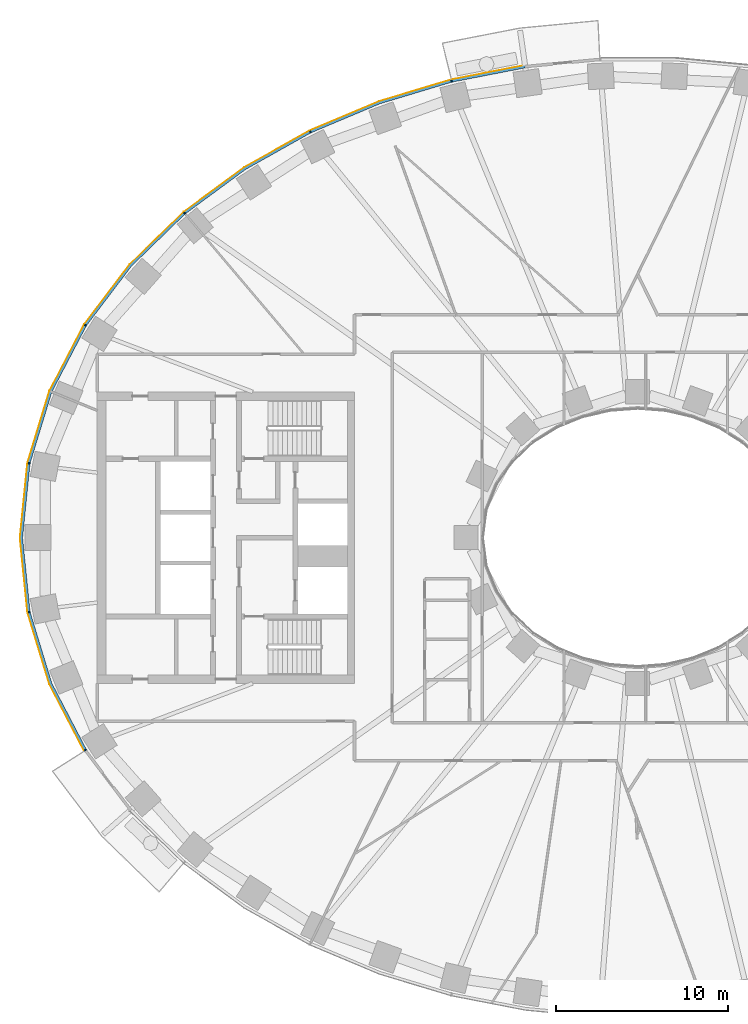
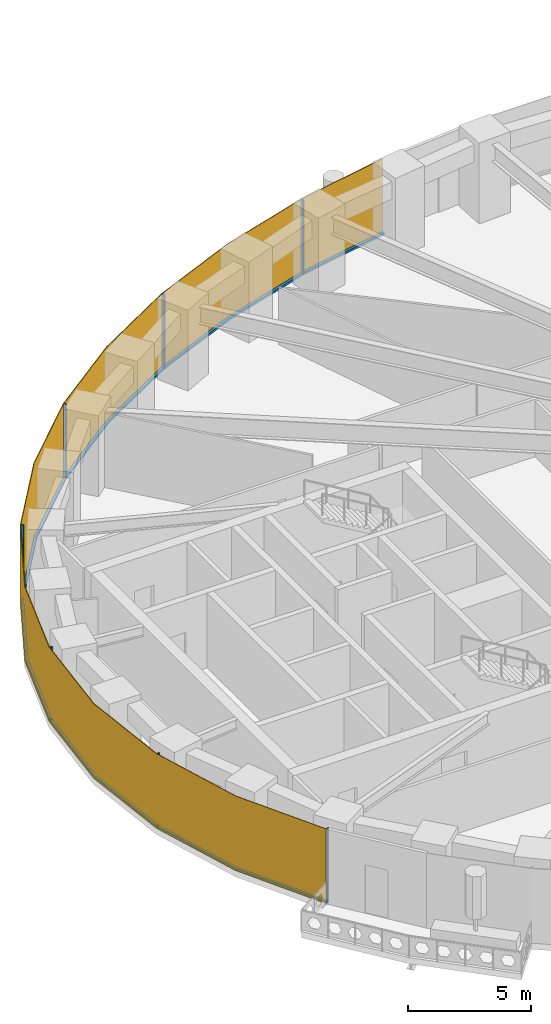
# One storey, part 11 of 16: 14 members, 1 curtain wall.
"""IFC4 building model written with IfcOpenShell, lengths in metres."""

from ifc_helpers import new_model, si_unit, direction, frame, origin, origin_2d, place, context, subcontext, project, spatial, polyline, rectangle, outline, extrude, material, layer, layer_set, material_profile, profile_set, type_object, element, aggregate, save


model = new_model("IFC4")

# Units and contexts
model_context = context("Model", 3, precision=1e-05, world=origin(), true_north=direction((0.0, 1.0)))
body_context = subcontext(model_context, "Body", "Model", "MODEL_VIEW")
ifc_project = project(units=[si_unit("LENGTHUNIT", "METRE"), si_unit("AREAUNIT", "SQUARE_METRE"), si_unit("VOLUMEUNIT", "CUBIC_METRE"), si_unit("PLANEANGLEUNIT", "RADIAN"), si_unit("MASSUNIT", "GRAM", prefix="KILO")], contexts=[model_context])

# Member
ifc_material_1 = material(Name="Aluminium 6063-T6 black anodised", Category="aluminium")
ifc_material_profile = material_profile(ifc_material_1, rectangle(XDim=0.1201171875, YDim=0.06005859375, at=origin_2d()), Name="120x60")
ifc_profile_set = profile_set([ifc_material_profile], Name="Aluminium 6063-T6 black anodised")
member_type_1 = type_object("IfcMemberType", Name="ENV-MULLION-A-120", PredefinedType="MULLION", material=ifc_profile_set)
site_placement = place(None, origin())
building_placement = place(site_placement, origin())
storey_placement = place(building_placement, frame((0.0, 0.0, 54.5)))
member_1_placement = place(storey_placement, frame((-10.84326171875, 26.60498046875, 0.0), z_axis=(0.0, 0.0, 1.0), x_axis=(0.239799081534, -0.970822538106, 0.0)))
member_1 = element("IfcMember", 1, at=member_1_placement, type_object=member_type_1, Name="Mullion A radial 15", PredefinedType="MULLION", context=body_context, shape_type="SweptSolid", body=[
    extrude(rectangle(XDim=0.1201171875, YDim=0.06005859375, at=origin_2d()), origin(), (0.0, 0.0, 1.0), 3.699951171875),
])

member_2_placement = place(storey_placement, frame((-19.06787109375, 23.6474609375, 0.0), z_axis=(0.0, 0.0, 1.0), x_axis=(0.439237769837, -0.898370848563, 0.0)))
member_2 = element("IfcMember", 2, at=member_2_placement, type_object=member_type_1, Name="Mullion A radial 17", PredefinedType="MULLION", context=body_context, shape_type="SweptSolid", body=[
    extrude(rectangle(XDim=0.1201171875, YDim=0.06005859375, at=origin_2d()), origin(), (0.0, 0.0, 1.0), 3.699951171875),
])

member_3_placement = place(storey_placement, frame((-26.403564453125, 18.9130859375, 0.0), z_axis=(0.0, 0.0, 1.0), x_axis=(0.646451313783, -0.762955240435, 0.0)))
member_3 = element("IfcMember", 3, at=member_3_placement, type_object=member_type_1, Name="Mullion A radial 19", PredefinedType="MULLION", context=body_context, shape_type="SweptSolid", body=[
    extrude(rectangle(XDim=0.1201171875, YDim=0.06005859375, at=origin_2d()), origin(), (0.0, 0.0, 1.0), 3.699951171875),
])

member_4_placement = place(storey_placement, frame((-32.177490234375, 12.385498046875, 0.0), z_axis=(0.0, 0.0, 1.0), x_axis=(0.844829880882, -0.53503501976, 0.0)))
member_4 = element("IfcMember", 4, at=member_4_placement, type_object=member_type_1, Name="Mullion A radial 21", PredefinedType="MULLION", context=body_context, shape_type="SweptSolid", body=[
    extrude(rectangle(XDim=0.1201171875, YDim=0.06005859375, at=origin_2d()), origin(), (0.0, 0.0, 1.0), 3.699951171875),
])

member_5_placement = place(storey_placement, frame((-35.470947265625, 4.340576171875, 0.0), z_axis=(0.0, 0.0, 1.0), x_axis=(0.980379083141, -0.19712141776, 0.0)))
member_5 = element("IfcMember", 5, at=member_5_placement, type_object=member_type_1, Name="Mullion A radial 23", PredefinedType="MULLION", context=body_context, shape_type="SweptSolid", body=[
    extrude(rectangle(XDim=0.1201171875, YDim=0.06005859375, at=origin_2d()), origin(), (0.0, 0.0, 1.0), 3.699951171875),
])

member_6_placement = place(storey_placement, frame((-35.470947265625, -4.340576171875, 0.0), z_axis=(0.0, 0.0, 1.0), x_axis=(0.980379083141, 0.19712141776, 0.0)))
member_6 = element("IfcMember", 6, at=member_6_placement, type_object=member_type_1, Name="Mullion A radial 25", PredefinedType="MULLION", context=body_context, shape_type="SweptSolid", body=[
    extrude(rectangle(XDim=0.1201171875, YDim=0.06005859375, at=origin_2d()), origin(), (0.0, 0.0, 1.0), 3.699951171875),
])

member_7_placement = place(storey_placement, frame((-32.177490234375, -12.385498046875, 0.0), z_axis=(0.0, 0.0, 1.0), x_axis=(0.844829880882, 0.53503501976, 0.0)))
member_7 = element("IfcMember", 7, at=member_7_placement, type_object=member_type_1, Name="Mullion A radial 27", PredefinedType="MULLION", context=body_context, shape_type="SweptSolid", body=[
    extrude(rectangle(XDim=0.1201171875, YDim=0.06005859375, at=origin_2d()), origin(), (0.0, 0.0, 1.0), 3.699951171875),
])

ifc_material_2 = material(Name="Aluminium 6063-T6 black anodised", Category="aluminium")
member_type_2 = type_object("IfcMemberType", Name="ENV-TRANSOM-A", PredefinedType="USERDEFINED", material=ifc_material_2)
member_8_placement = place(storey_placement, origin())
member_8 = element("IfcMember", 8, at=member_8_placement, type_object=member_type_2, Name="Transom A radial 14-15", ObjectType="TRANSOM", PredefinedType="USERDEFINED", context=body_context, shape_type="SweptSolid", body=[
    extrude(outline(polyline([(-6.57470703125, 27.49560546875), (-10.830078125, 26.66845703125), (-10.80126953125, 26.552001953125), (-6.5576171875, 27.376708984375), (-6.57470703125, 27.49560546875)])), origin(), (0.0, 0.0, 1.0), 0.10009765625),
])

member_9_placement = place(storey_placement, origin())
member_9 = element("IfcMember", 9, at=member_9_placement, type_object=member_type_2, Name="Transom A radial 15-17", ObjectType="TRANSOM", PredefinedType="USERDEFINED", context=body_context, shape_type="SweptSolid", body=[
    extrude(outline(polyline([(-10.884521484375, 26.655029296875), (-15.054443359375, 25.400146484375), (-19.068359375, 23.71240234375), (-19.015380859375, 23.604248046875), (-15.013916015625, 25.287109375), (-10.855712890625, 26.53857421875), (-10.884521484375, 26.655029296875)])), origin(), (0.0, 0.0, 1.0), 0.10009765625),
])

member_10_placement = place(storey_placement, origin())
member_10 = element("IfcMember", 10, at=member_10_placement, type_object=member_type_2, Name="Transom A radial 17-19", ObjectType="TRANSOM", PredefinedType="USERDEFINED", context=body_context, shape_type="SweptSolid", body=[
    extrude(outline(polyline([(-19.11865234375, 23.687744140625), (-22.9150390625, 21.556884765625), (-26.419921875, 18.975341796875), (-26.342041015625, 18.883544921875), (-22.85009765625, 21.455810546875), (-19.06591796875, 23.57958984375), (-19.11865234375, 23.687744140625)])), origin(), (0.0, 0.0, 1.0), 0.10009765625),
])

member_11_placement = place(storey_placement, origin())
member_11 = element("IfcMember", 11, at=member_11_placement, type_object=member_type_2, Name="Transom A radial 19-21", ObjectType="TRANSOM", PredefinedType="USERDEFINED", context=body_context, shape_type="SweptSolid", body=[
    extrude(outline(polyline([(-26.46240234375, 18.939208984375), (-29.58349609375, 15.906982421875), (-32.211181640625, 12.43994140625), (-32.109375, 12.37548828125), (-29.493408203125, 15.8271484375), (-26.384765625, 18.847412109375), (-26.46240234375, 18.939208984375)])), origin(), (0.0, 0.0, 1.0), 0.10009765625),
])

member_12_placement = place(storey_placement, origin())
member_12 = element("IfcMember", 12, at=member_12_placement, type_object=member_type_2, Name="Transom A radial 21-23", ObjectType="TRANSOM", PredefinedType="USERDEFINED", context=body_context, shape_type="SweptSolid", body=[
    extrude(outline(polyline([(-32.240966796875, 12.392578125), (-34.251220703125, 8.53662109375), (-35.521484375, 4.379150390625), (-35.4033203125, 4.355224609375), (-34.139892578125, 8.490966796875), (-32.139404296875, 12.328369140625), (-32.240966796875, 12.392578125)])), origin(), (0.0, 0.0, 1.0), 0.10009765625),
])

member_13_placement = place(storey_placement, origin())
member_13 = element("IfcMember", 13, at=member_13_placement, type_object=member_type_2, Name="Transom A radial 23-25", ObjectType="TRANSOM", PredefinedType="USERDEFINED", context=body_context, shape_type="SweptSolid", body=[
    extrude(outline(polyline([(-35.532470703125, 4.324462890625), (-35.9677734375, 0.0), (-35.532470703125, -4.324462890625), (-35.414306640625, -4.30078125), (-35.84716796875, 0.0), (-35.414306640625, 4.30078125), (-35.532470703125, 4.324462890625)])), origin(), (0.0, 0.0, 1.0), 0.10009765625),
])

member_14_placement = place(storey_placement, origin())
member_14 = element("IfcMember", 14, at=member_14_placement, type_object=member_type_2, Name="Transom A radial 25-27", ObjectType="TRANSOM", PredefinedType="USERDEFINED", context=body_context, shape_type="SweptSolid", body=[
    extrude(outline(polyline([(-35.521484375, -4.379150390625), (-34.251220703125, -8.53662109375), (-32.240966796875, -12.392578125), (-32.139404296875, -12.328369140625), (-34.139892578125, -8.490966796875), (-35.4033203125, -4.355224609375), (-35.521484375, -4.379150390625)])), origin(), (0.0, 0.0, 1.0), 0.10009765625),
])

# Site, building, storey
site = spatial("IfcSite", under=ifc_project, at=site_placement, CompositionType="ELEMENT")
building = spatial("IfcBuilding", under=site, at=building_placement, Name="Noorbagh Ring Tower", CompositionType="ELEMENT")
storey = spatial("IfcBuildingStorey", under=building, at=storey_placement, Name="L11", CompositionType="ELEMENT", Elevation=54.5)

# Curtain wall
ifc_material_3 = material(Name="Glass dark tinted laminated", Category="glass")
ifc_layer = layer(ifc_material_3, 0.031982421875)
ifc_layer_set = layer_set([ifc_layer], Name="Glass dark tinted laminated")
curtain_wall_type = type_object("IfcCurtainWallType", Name="ENV-CW-A", PredefinedType="NOTDEFINED", material=ifc_layer_set)
curtain_wall_placement = place(storey_placement, origin())
curtain_wall = element("IfcCurtainWall", 15, at=curtain_wall_placement, inside=storey, type_object=curtain_wall_type, Name="Curtain wall A R14", PredefinedType="NOTDEFINED", context=body_context, shape_type="SweptSolid", body=[
    extrude(outline(polyline([(-6.579345703125, 27.52734375), (-10.865234375, 26.6943359375), (-15.065185546875, 25.430419921875), (-19.108154296875, 23.730224609375), (-22.9326171875, 21.583740234375), (-26.463134765625, 18.9833984375), (-29.607666015625, 15.927978515625), (-32.255126953125, 12.434814453125), (-34.281005859375, 8.548828125), (-35.561279296875, 4.358642578125), (-36.0, 0.0), (-35.561279296875, -4.358642578125), (-34.281005859375, -8.548828125), (-32.264404296875, -12.4169921875), (-32.2373046875, -12.39990234375), (-34.251220703125, -8.53662109375), (-35.529541015625, -4.352294921875), (-35.9677734375, 0.0), (-35.529541015625, 4.352294921875), (-34.251220703125, 8.53662109375), (-32.22802734375, 12.41748046875), (-29.58349609375, 15.906982421875), (-26.4423828125, 18.958740234375), (-22.9150390625, 21.556884765625), (-19.093994140625, 23.701416015625), (-15.054443359375, 25.400146484375), (-10.857666015625, 26.6630859375), (-6.57470703125, 27.49560546875), (-6.579345703125, 27.52734375)])), origin(), (0.0, 0.0, 1.0), 3.699951171875),
])

aggregate(curtain_wall, [member_1, member_2, member_3, member_4, member_5, member_6, member_7, member_8, member_9, member_10, member_11, member_12, member_13, member_14])

save(model, "model.ifc")
